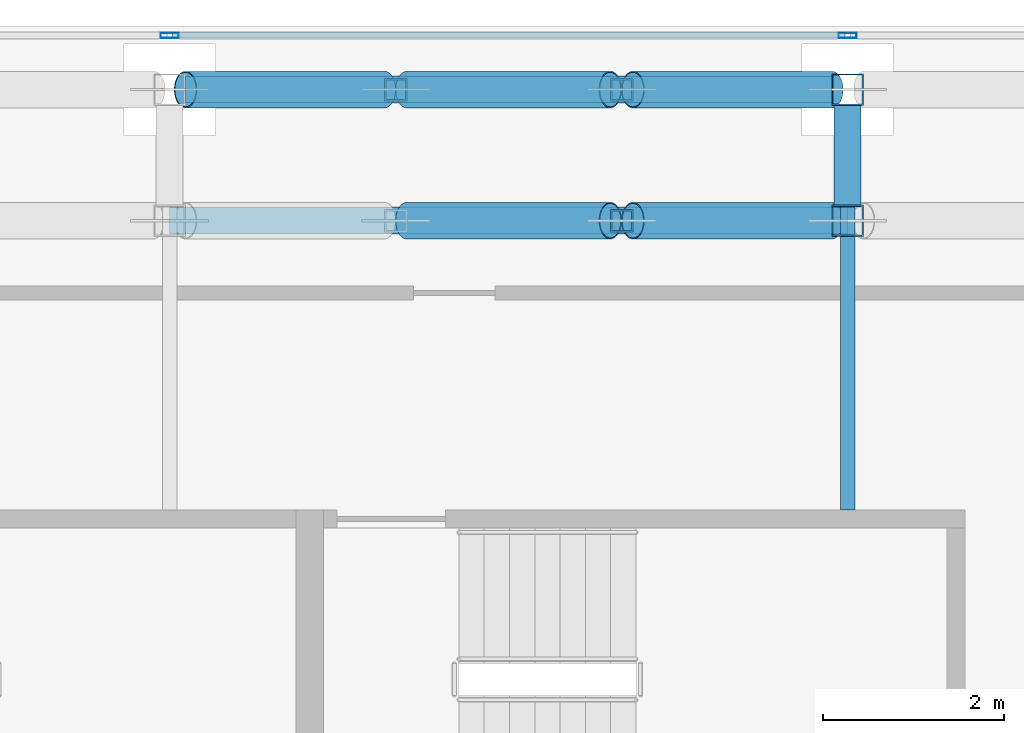
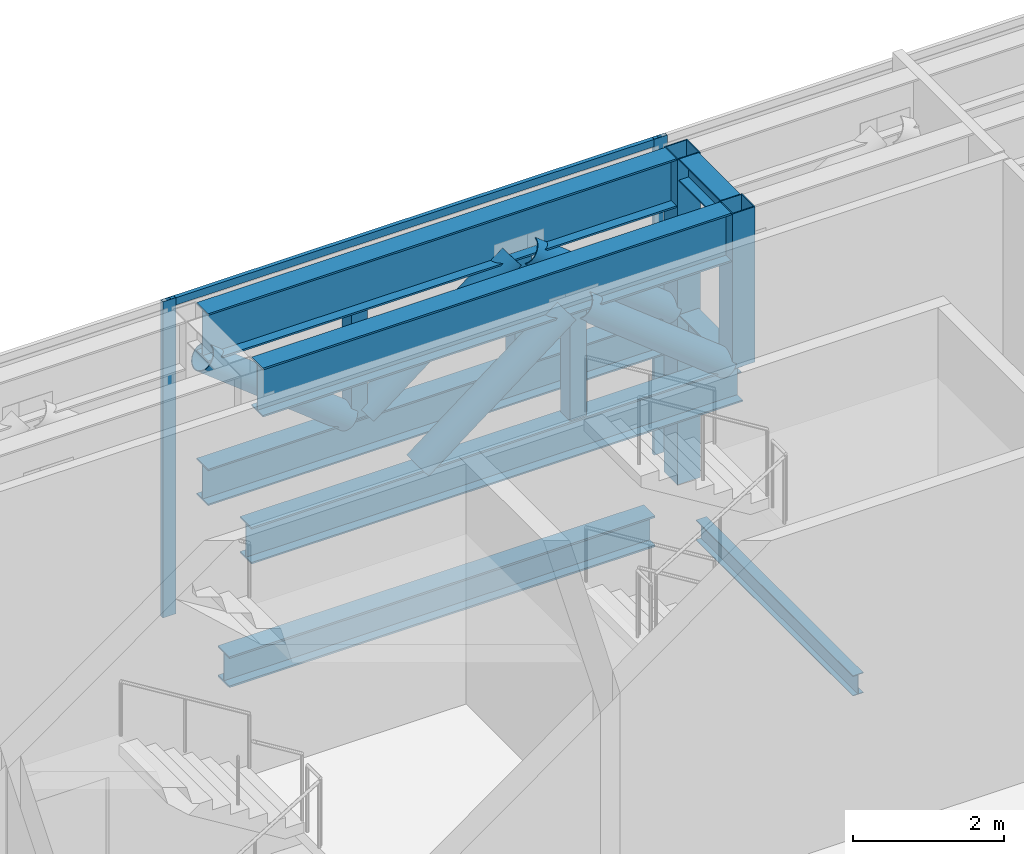
# One storey, part 22 of 36: 17 members, 4 beams, 1 element without a shape of its own.
"""IFC4 building model written with IfcOpenShell, lengths in metres."""

from ifc_helpers import new_model, si_unit, direction, frame, origin, origin_2d, place, context, subcontext, project, spatial, hollow_rectangle, hollow_circle, i_section, extrude, source, transform, mapped, material, material_profile, profile_set, type_object, element, aggregate, save


model = new_model("IFC4")

# Units and contexts
model_context = context("Model", 3, precision=1e-05, world=origin(), true_north=direction((0.0, 1.0)))
body_context = subcontext(model_context, "Body", "Model", "MODEL_VIEW")
ifc_project = project(units=[si_unit("LENGTHUNIT", "METRE"), si_unit("AREAUNIT", "SQUARE_METRE"), si_unit("VOLUMEUNIT", "CUBIC_METRE"), si_unit("PLANEANGLEUNIT", "RADIAN"), si_unit("MASSUNIT", "GRAM", prefix="KILO")], contexts=[model_context])

# Site, building, storey
site_placement = place(None, origin())
site = spatial("IfcSite", under=ifc_project, at=site_placement, CompositionType="ELEMENT")
building_placement = place(site_placement, origin())
building = spatial("IfcBuilding", under=site, at=building_placement, Name="Khomas Fold Tower", CompositionType="ELEMENT")
storey_placement = place(building_placement, frame((0.0, 0.0, 216.699951171875)))
storey = spatial("IfcBuildingStorey", under=building, at=storey_placement, Name="L48", CompositionType="ELEMENT", Elevation=216.699951171875)

# Beams
ifc_material_1 = material(Name="Steel S355", Category="steel")
ifc_material_profile_1 = material_profile(ifc_material_1, i_section(OverallWidth=0.300048828125, OverallDepth=0.5, WebThickness=0.014404296875, FlangeThickness=0.028076171875, at=origin_2d()), Name="HE 500 B")
ifc_profile_set_1 = profile_set([ifc_material_profile_1], Name="Steel S355")
beam_type_1 = type_object("IfcBeamType", Name="HE 500 B spandrel SB3", PredefinedType="SPANDREL", material=ifc_profile_set_1)
shared_shape_1 = source(origin(), body_context, "Body", "SweptSolid", [
    extrude(i_section(OverallWidth=0.300048828125, OverallDepth=0.5, WebThickness=0.014404296875, FlangeThickness=0.028076171875, at=origin_2d()), origin(), (0.0, 0.0, 1.0), 6.5),
])
beam_1_placement = place(storey_placement, frame((20.0, 50.300048828125, -0.64990234375), z_axis=(1.0, 0.0, 0.0), x_axis=(0.0, 1.0, 0.0)))
element("IfcBeam", 1, at=beam_1_placement, inside=storey, type_object=beam_type_1, Name="SB3", PredefinedType="SPANDREL", context=body_context, shape_type="MappedRepresentation", body=[
    mapped(shared_shape_1, transform((0.0, 0.0, 0.0))),
])
ifc_material_2 = material(Name="Steel S355", Category="steel")
ifc_material_profile_2 = material_profile(ifc_material_2, i_section(OverallWidth=0.159912109375, OverallDepth=0.330078125, WebThickness=0.007568359375, FlangeThickness=0.011474609375, at=origin_2d()), Name="IPE 330")
ifc_profile_set_2 = profile_set([ifc_material_profile_2], Name="Steel S355")
beam_type_2 = type_object("IfcBeamType", Name="IPE 330 beam JB1", PredefinedType="BEAM", material=ifc_profile_set_2)
shared_shape_2 = source(origin(), body_context, "Body", "SweptSolid", [
    extrude(i_section(OverallWidth=0.159912109375, OverallDepth=0.330078125, WebThickness=0.007568359375, FlangeThickness=0.011474609375, at=origin_2d()), origin(), (0.0, 0.0, 1.0), 4.150146484375),
])
beam_2_placement = place(storey_placement, frame((27.0, 45.64990234375, -0.56494140625), z_axis=(0.0, 1.0, 0.0), x_axis=(-1.0, 0.0, 0.0)))
element("IfcBeam", 2, at=beam_2_placement, inside=storey, type_object=beam_type_2, Name="JB1", PredefinedType="BEAM", context=body_context, shape_type="MappedRepresentation", body=[
    mapped(shared_shape_2, transform((0.0, 0.0, 0.0))),
])

# Members
ifc_material_3 = material(Name="Steel S355", Category="steel")
ifc_material_profile_3 = material_profile(ifc_material_3, i_section(OverallWidth=0.300048828125, OverallDepth=0.7900390625, WebThickness=0.014892578125, FlangeThickness=0.028076171875, at=origin_2d()), Name="HE 800 A")
ifc_profile_set_3 = profile_set([ifc_material_profile_3], Name="Steel S355")
member_type_1 = type_object("IfcMemberType", Name="BELT TRUSS 3 TOP CHORD HE 800 A", PredefinedType="CHORD", material=ifc_profile_set_3)
shared_shape_3 = source(origin(), body_context, "Body", "SweptSolid", [
    extrude(i_section(OverallWidth=0.300048828125, OverallDepth=0.7900390625, WebThickness=0.014892578125, FlangeThickness=0.028076171875, at=origin_2d()), origin(), (0.0, 0.0, 1.0), 7.14990234375),
])
for number, where, z_axis, x_axis, name in (
    (3, (26.824951171875, 50.300048828125, 4.85498046875), (-1.0, 0.0, 0.0), (0.0, -1.0, 0.0), "BT3-CT"),
    (4, (26.824951171875, 48.85009765625, 4.85498046875), (-1.0, 0.0, 0.0), (0.0, -1.0, 0.0), "BT3-CT"),
):
    element("IfcMember", number, at=place(storey_placement, frame(where, z_axis=z_axis, x_axis=x_axis)), inside=storey, type_object=member_type_1, Name=name, PredefinedType="CHORD", context=body_context, shape_type="MappedRepresentation", body=[
        mapped(shared_shape_3, transform((0.0, 0.0, 0.0))),
    ])
ifc_material_4 = material(Name="Steel S355", Category="steel")
ifc_material_profile_4 = material_profile(ifc_material_4, i_section(OverallWidth=0.300048828125, OverallDepth=0.590087890625, WebThickness=0.012939453125, FlangeThickness=0.02490234375, at=origin_2d()), Name="HE 600 A")
ifc_profile_set_4 = profile_set([ifc_material_profile_4], Name="Steel S355")
member_type_2 = type_object("IfcMemberType", Name="BELT TRUSS 3 BOTTOM CHORD HE 600 A", PredefinedType="CHORD", material=ifc_profile_set_4)
shared_shape_4 = source(origin(), body_context, "Body", "SweptSolid", [
    extrude(i_section(OverallWidth=0.300048828125, OverallDepth=0.590087890625, WebThickness=0.012939453125, FlangeThickness=0.02490234375, at=origin_2d()), origin(), (0.0, 0.0, 1.0), 7.14990234375),
])
member_1_placement = place(storey_placement, frame((26.824951171875, 50.300048828125, 2.445068359375), z_axis=(-1.0, 0.0, 0.0), x_axis=(0.0, -1.0, 0.0)))
element("IfcMember", 5, at=member_1_placement, inside=storey, type_object=member_type_2, Name="BT3-CB", PredefinedType="CHORD", context=body_context, shape_type="MappedRepresentation", body=[
    mapped(shared_shape_4, transform((0.0, 0.0, 0.0))),
])
ifc_material_5 = material(Name="Steel S355", Category="steel")
ifc_material_profile_5 = material_profile(ifc_material_5, hollow_circle(Radius=0.203125, WallThickness=0.012451171875, at=origin_2d()), Name="CHS 406.4x12.5")
ifc_profile_set_5 = profile_set([ifc_material_profile_5], Name="Steel S355")
member_type_3 = type_object("IfcMemberType", Name="BELT TRUSS 3 DIAGONAL CHS 406.4x12.5", PredefinedType="BRACE", material=ifc_profile_set_5)
shared_shape_5 = source(origin(), body_context, "Body", "SweptSolid", [
    extrude(hollow_circle(Radius=0.203125, WallThickness=0.012451171875, at=origin_2d()), origin(), (0.0, 0.0, 1.0), 2.798583984375),
])
for number, where, z_axis, x_axis, name in (
    (6, (26.824951171875, 50.300048828125, 2.735107421875), (-0.786067028411, 0.0, 0.618141267709), (0.0, -1.0, 0.0), "BT3-D"),
    (7, (21.875, 50.300048828125, 2.735107421875), (-0.786067028411, 0.0, 0.618141267709), (0.0, -1.0, 0.0), "BT3-D"),
    (8, (26.824951171875, 48.85009765625, 2.735107421875), (-0.786067028411, 0.0, 0.618141267709), (0.0, -1.0, 0.0), "BT3-D"),
):
    element("IfcMember", number, at=place(storey_placement, frame(where, z_axis=z_axis, x_axis=x_axis)), inside=storey, type_object=member_type_3, Name=name, PredefinedType="BRACE", context=body_context, shape_type="MappedRepresentation", body=[
        mapped(shared_shape_5, transform((0.0, 0.0, 0.0))),
    ])
shared_shape_6 = source(origin(), body_context, "Body", "SweptSolid", [
    extrude(hollow_circle(Radius=0.203125, WallThickness=0.012451171875, at=origin_2d()), origin(), (0.0, 0.0, 1.0), 2.838134765625),
])
for number, where, z_axis, x_axis, name in (
    (9, (24.375, 50.300048828125, 4.465087890625), (-0.792758275848, 0.0, -0.609536148292), (0.0, -1.0, 0.0), "BT3-D"),
    (10, (24.375, 48.85009765625, 4.465087890625), (-0.792758275848, 0.0, -0.609536148292), (0.0, -1.0, 0.0), "BT3-D"),
):
    element("IfcMember", number, at=place(storey_placement, frame(where, z_axis=z_axis, x_axis=x_axis)), inside=storey, type_object=member_type_3, Name=name, PredefinedType="BRACE", context=body_context, shape_type="MappedRepresentation", body=[
        mapped(shared_shape_6, transform((0.0, 0.0, 0.0))),
    ])
ifc_material_6 = material(Name="Steel S355", Category="steel")
ifc_material_profile_6 = material_profile(ifc_material_6, hollow_rectangle(XDim=0.25, YDim=0.25, WallThickness=0.01611328125, at=origin_2d()), Name="SHS 250x250x16")
ifc_profile_set_6 = profile_set([ifc_material_profile_6], Name="Steel S355")
member_type_4 = type_object("IfcMemberType", Name="BELT TRUSS 3 MID POST SHS 250x250x16", PredefinedType="POST", material=ifc_profile_set_6)
shared_shape_7 = source(origin(), body_context, "Body", "SweptSolid", [
    extrude(hollow_rectangle(XDim=0.25, YDim=0.25, WallThickness=0.01611328125, at=origin_2d()), origin(), (0.0, 0.0, 1.0), 1.719970703125),
])
for number, where, z_axis, x_axis, name in (
    (11, (24.5, 50.300048828125, 2.739990234375), (0.0, 0.0, 1.0), (1.0, 0.0, 0.0), "BT3-M"),
    (12, (22.0, 50.300048828125, 2.739990234375), (0.0, 0.0, 1.0), (1.0, 0.0, 0.0), "BT3-M"),
    (13, (24.5, 48.85009765625, 2.739990234375), (0.0, 0.0, 1.0), (1.0, 0.0, 0.0), "BT3-M"),
):
    element("IfcMember", number, at=place(storey_placement, frame(where, z_axis=z_axis, x_axis=x_axis)), inside=storey, type_object=member_type_4, Name=name, PredefinedType="POST", context=body_context, shape_type="MappedRepresentation", body=[
        mapped(shared_shape_7, transform((0.0, 0.0, 0.0))),
    ])
shared_shape_8 = source(origin(), body_context, "Body", "SweptSolid", [
    extrude(i_section(OverallWidth=0.300048828125, OverallDepth=0.590087890625, WebThickness=0.012939453125, FlangeThickness=0.02490234375, at=origin_2d()), origin(), (0.0, 0.0, 1.0), 7.5),
])
member_2_placement = place(storey_placement, frame((27.0, 48.85009765625, 2.445068359375), z_axis=(-1.0, 0.0, 0.0), x_axis=(0.0, -1.0, 0.0)))
element("IfcMember", 14, at=member_2_placement, inside=storey, type_object=member_type_2, Name="BT3-CB", PredefinedType="CHORD", context=body_context, shape_type="MappedRepresentation", body=[
    mapped(shared_shape_8, transform((0.0, 0.0, 0.0))),
])
ifc_material_7 = material(Name="Steel S355", Category="steel")
ifc_material_profile_7 = material_profile(ifc_material_7, hollow_rectangle(XDim=0.35009765625, YDim=0.35009765625, WallThickness=0.01611328125, at=origin_2d()), Name="SHS 350x350x16")
ifc_profile_set_7 = profile_set([ifc_material_profile_7], Name="Steel S355")
member_type_5 = type_object("IfcMemberType", Name="BELT TRUSS 3 COLUMN POST SHS 350x350x16", PredefinedType="POST", material=ifc_profile_set_7)
shared_shape_9 = source(origin(), body_context, "Body", "SweptSolid", [
    extrude(hollow_rectangle(XDim=0.35009765625, YDim=0.35009765625, WallThickness=0.01611328125, at=origin_2d()), origin(), (0.0, 0.0, 1.0), 5.25),
])
member_3_placement = place(storey_placement, frame((27.0, 50.300048828125, 0.0), z_axis=(0.0, 0.0, 1.0), x_axis=(1.0, 0.0, 0.0)))
element("IfcMember", 15, at=member_3_placement, inside=storey, type_object=member_type_5, Name="BT3-P", PredefinedType="POST", context=body_context, shape_type="MappedRepresentation", body=[
    mapped(shared_shape_9, transform((0.0, 0.0, 0.0))),
])
ifc_material_8 = material(Name="Steel S355", Category="steel")
ifc_material_profile_8 = material_profile(ifc_material_8, hollow_rectangle(XDim=0.35009765625, YDim=0.35009765625, WallThickness=0.01611328125, at=origin_2d()), Name="SHS 350x350x16")
ifc_profile_set_8 = profile_set([ifc_material_profile_8], Name="Steel S355")
member_type_6 = type_object("IfcMemberType", Name="BELT TRUSS 3 COLUMN POST SHORT SHS 350x350x16", PredefinedType="POST", material=ifc_profile_set_8)
shared_shape_10 = source(origin(), body_context, "Body", "SweptSolid", [
    extrude(hollow_rectangle(XDim=0.35009765625, YDim=0.35009765625, WallThickness=0.01611328125, at=origin_2d()), origin(), (0.0, 0.0, 1.0), 2.510009765625),
])
member_4_placement = place(storey_placement, frame((27.0, 48.85009765625, 2.739990234375), z_axis=(0.0, 0.0, 1.0), x_axis=(1.0, 0.0, 0.0)))
element("IfcMember", 16, at=member_4_placement, inside=storey, type_object=member_type_6, Name="BT3-PS", PredefinedType="POST", context=body_context, shape_type="MappedRepresentation", body=[
    mapped(shared_shape_10, transform((0.0, 0.0, 0.0))),
])

# Beams
ifc_material_9 = material(Name="Steel S355", Category="steel")
ifc_material_profile_9 = material_profile(ifc_material_9, i_section(OverallWidth=0.300048828125, OverallDepth=0.360107421875, WebThickness=0.012451171875, FlangeThickness=0.0224609375, at=origin_2d()), Name="HE 360 B")
ifc_profile_set_9 = profile_set([ifc_material_profile_9], Name="Steel S355")
beam_type_3 = type_object("IfcBeamType", Name="BELT TRUSS 3 TOP STRUT HE 360 B", PredefinedType="BEAM", material=ifc_profile_set_9)
shared_shape_11 = source(origin(), body_context, "Body", "SweptSolid", [
    extrude(i_section(OverallWidth=0.300048828125, OverallDepth=0.360107421875, WebThickness=0.012451171875, FlangeThickness=0.0224609375, at=origin_2d()), origin(), (0.0, 0.0, 1.0), 1.10009765625),
])
beam_3_placement = place(storey_placement, frame((27.0, 49.02490234375, 5.070068359375), z_axis=(0.0, 1.0, 0.0), x_axis=(-1.0, 0.0, 0.0)))
element("IfcBeam", 17, at=beam_3_placement, inside=storey, type_object=beam_type_3, Name="BT3-ST", PredefinedType="BEAM", context=body_context, shape_type="MappedRepresentation", body=[
    mapped(shared_shape_11, transform((0.0, 0.0, 0.0))),
])
ifc_material_10 = material(Name="Steel S355", Category="steel")
ifc_material_profile_10 = material_profile(ifc_material_10, i_section(OverallWidth=0.300048828125, OverallDepth=0.360107421875, WebThickness=0.012451171875, FlangeThickness=0.0224609375, at=origin_2d()), Name="HE 360 B")
ifc_profile_set_10 = profile_set([ifc_material_profile_10], Name="Steel S355")
beam_type_4 = type_object("IfcBeamType", Name="BELT TRUSS 3 BOTTOM STRUT HE 360 B", PredefinedType="BEAM", material=ifc_profile_set_10)
shared_shape_12 = source(origin(), body_context, "Body", "SweptSolid", [
    extrude(i_section(OverallWidth=0.300048828125, OverallDepth=0.360107421875, WebThickness=0.012451171875, FlangeThickness=0.0224609375, at=origin_2d()), origin(), (0.0, 0.0, 1.0), 1.125),
])
beam_4_placement = place(storey_placement, frame((27.0, 49.0, 2.56005859375), z_axis=(0.0, 1.0, 0.0), x_axis=(-1.0, 0.0, 0.0)))
element("IfcBeam", 18, at=beam_4_placement, inside=storey, type_object=beam_type_4, Name="BT3-SB", PredefinedType="BEAM", context=body_context, shape_type="MappedRepresentation", body=[
    mapped(shared_shape_12, transform((0.0, 0.0, 0.0))),
])

# Curtain wall, members
ifc_material_11 = material(Name="Aluminium framed double glazing", Category="aluminium")
curtain_wall_type = type_object("IfcCurtainWallType", Name="SK-Plant louvre wall CW4", PredefinedType="NOTDEFINED", material=ifc_material_11)
curtain_wall_placement = place(storey_placement, origin())
curtain_wall = element("IfcCurtainWall", 19, at=curtain_wall_placement, inside=storey, type_object=curtain_wall_type, Name="CW4 run L48 06-0", PredefinedType="NOTDEFINED")
ifc_material_12 = material(Name="Aluminium", Category="aluminium")
ifc_material_profile_11 = material_profile(ifc_material_12, hollow_rectangle(XDim=0.06005859375, YDim=0.199951171875, WallThickness=0.00390625, at=origin_2d()), Name="SK-Plant louvre wall mullion CW4-M")
ifc_profile_set_11 = profile_set([ifc_material_profile_11], Name="Aluminium")
member_type_7 = type_object("IfcMemberType", Name="SK-Plant louvre wall mullion CW4-M", PredefinedType="MULLION", material=ifc_profile_set_11)
shared_shape_13 = source(origin(), body_context, "Body", "SweptSolid", [
    extrude(hollow_rectangle(XDim=0.06005859375, YDim=0.199951171875, WallThickness=0.00390625, at=origin_2d()), origin(), (0.0, 0.0, 1.0), 5.10009765625),
])
member_5_placement = place(storey_placement, frame((27.0, 50.89990234375, 0.0), z_axis=(0.0, 0.0, 1.0), x_axis=(0.0, -1.0, 0.0)))
member_5 = element("IfcMember", 20, at=member_5_placement, type_object=member_type_7, Name="CW4 mullion 3", PredefinedType="MULLION", context=body_context, shape_type="MappedRepresentation", body=[
    mapped(shared_shape_13, transform((0.0, 0.0, 0.0))),
])
member_6_placement = place(storey_placement, frame((19.5, 50.89990234375, 0.0), z_axis=(0.0, 0.0, 1.0), x_axis=(0.0, -1.0, 0.0)))
member_6 = element("IfcMember", 21, at=member_6_placement, type_object=member_type_7, Name="CW4 mullion 4", PredefinedType="MULLION", context=body_context, shape_type="MappedRepresentation", body=[
    mapped(shared_shape_13, transform((0.0, 0.0, 0.0))),
])
ifc_material_13 = material(Name="Aluminium", Category="aluminium")
ifc_material_profile_12 = material_profile(ifc_material_13, hollow_rectangle(XDim=0.06005859375, YDim=0.1201171875, WallThickness=0.00390625, at=origin_2d()), Name="SK-Plant louvre wall transom CW4-T")
ifc_profile_set_12 = profile_set([ifc_material_profile_12], Name="Aluminium")
member_type_8 = type_object("IfcMemberType", Name="SK-Plant louvre wall transom CW4-T", PredefinedType="USERDEFINED", material=ifc_profile_set_12)
shared_shape_14 = source(origin(), body_context, "Body", "SweptSolid", [
    extrude(hollow_rectangle(XDim=0.06005859375, YDim=0.1201171875, WallThickness=0.00390625, at=origin_2d()), origin(), (0.0, 0.0, 1.0), 7.43994140625),
])
member_7_placement = place(storey_placement, frame((26.969970703125, 50.89990234375, 5.0400390625), z_axis=(-1.0, 0.0, 0.0), x_axis=(0.0, -1.0, 0.0)))
member_7 = element("IfcMember", 22, at=member_7_placement, type_object=member_type_8, Name="CW4 transom 3", ObjectType="TRANSOM", PredefinedType="USERDEFINED", context=body_context, shape_type="MappedRepresentation", body=[
    mapped(shared_shape_14, transform((0.0, 0.0, 0.0))),
])
aggregate(curtain_wall, [member_5, member_6, member_7])

save(model, "model.ifc")
